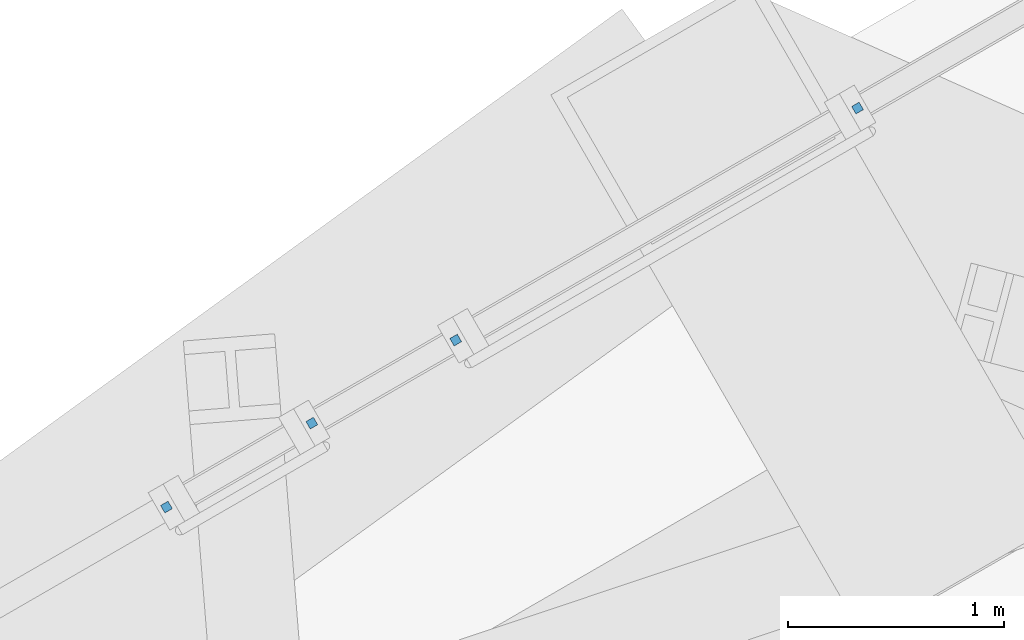
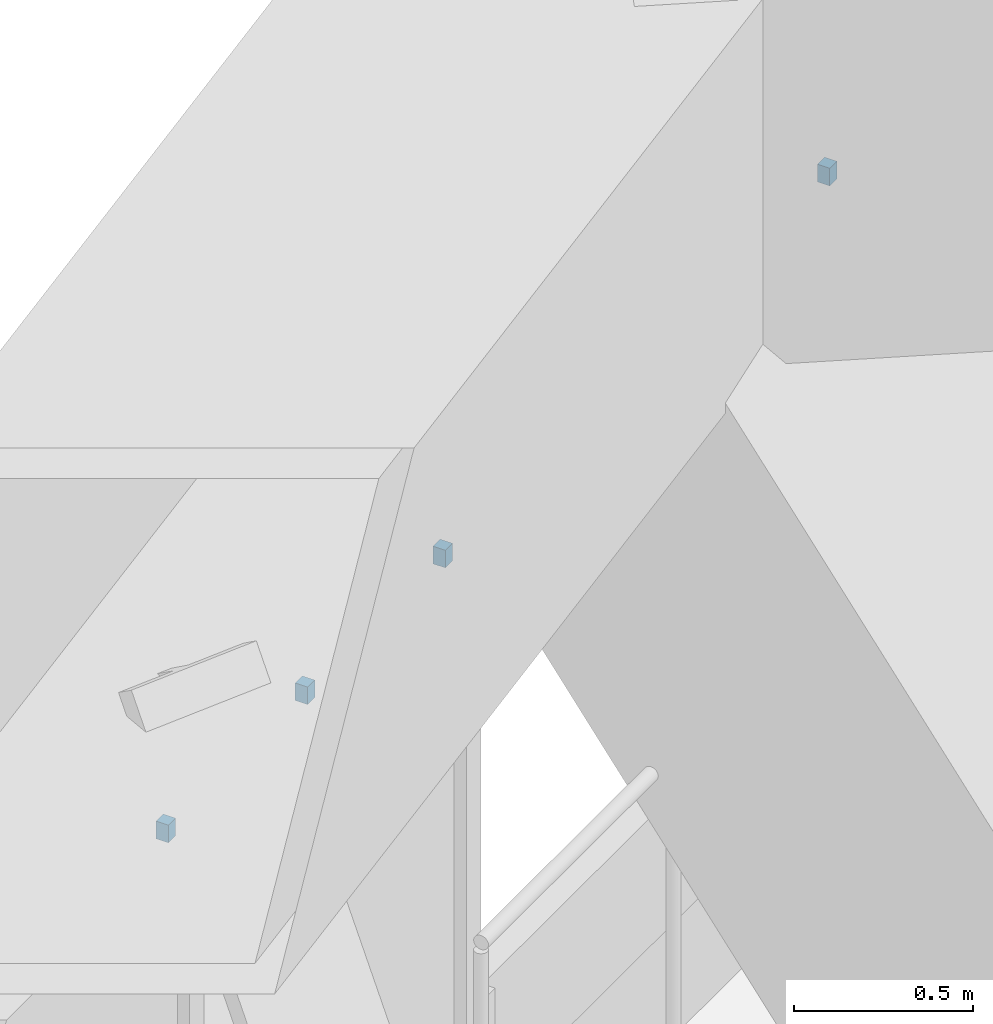
# One storey, part 20 of 23: 4 discrete accessories.
"""IFC4 building model written with IfcOpenShell, lengths in metres."""

from ifc_helpers import new_model, si_unit, direction, frame, origin, origin_2d, place, context, subcontext, project, spatial, rectangle, extrude, source, transform, mapped, material, element, save


model = new_model("IFC4")

# Units and contexts
model_context = context("Model", 3, precision=1e-05, world=origin(), true_north=direction((0.0, 1.0)))
body_context = subcontext(model_context, "Body", "Model", "MODEL_VIEW")
ifc_project = project(units=[si_unit("LENGTHUNIT", "METRE"), si_unit("AREAUNIT", "SQUARE_METRE"), si_unit("VOLUMEUNIT", "CUBIC_METRE"), si_unit("PLANEANGLEUNIT", "RADIAN"), si_unit("MASSUNIT", "GRAM", prefix="KILO")], contexts=[model_context])

# Site, building, storey
site_placement = place(None, origin())
site = spatial("IfcSite", under=ifc_project, at=site_placement, CompositionType="ELEMENT")
building_placement = place(site_placement, origin())
building = spatial("IfcBuilding", under=site, at=building_placement, Name="Triune Harvest Tower", CompositionType="ELEMENT")
storey_placement = place(building_placement, frame((0.0, 0.0, 54.699951171875)))
storey = spatial("IfcBuildingStorey", under=building, at=storey_placement, Name="L12", CompositionType="ELEMENT", Elevation=54.699951171875)

# Discrete accessories
ifc_material = material(Name="Steel ASTM A992 Gr 50", Category="steel")
shared_shape = source(origin(), body_context, "Body", "SweptSolid", [
    extrude(rectangle(XDim=0.0400390625, YDim=0.0400390625, at=origin_2d()), origin(), (0.0, 0.0, 1.0), 0.06005859375),
])
for number, where, z_axis, x_axis, name in (
    (1, (9.349609375, 32.385009765625, 2.330078125), (0.0, 0.0, 1.0), (-0.866018422383, -0.500012091947, 0.0), "Mullion end bracket B1-F3 L12.101 upper"),
    (2, (7.48828125, 31.310302734375, 2.330078125), (0.0, 0.0, 1.0), (-0.866054200281, -0.499950119688, 0.0), "Mullion end bracket B1-F3 L12.301 upper"),
    (3, (6.82177734375, 30.925537109375, 2.330078125), (0.0, 0.0, 1.0), (-0.866054200281, -0.499950119688, 0.0), "Mullion end bracket B1-F3 L12.301 upper"),
    (4, (6.1484375, 30.53662109375, 2.330078125), (0.0, 0.0, 1.0), (-0.866024531118, -0.500001511499, 0.0), "Mullion end bracket B1-F3 L12.501 upper"),
):
    element("IfcDiscreteAccessory", number, at=place(storey_placement, frame(where, z_axis=z_axis, x_axis=x_axis)), inside=storey, material=ifc_material, Name=name, ObjectType="BRACKET", PredefinedType="USERDEFINED", context=body_context, shape_type="MappedRepresentation", body=[
        mapped(shared_shape, transform((0.0, 0.0, 0.0), scale=1.0)),
    ])

save(model, "model.ifc")
